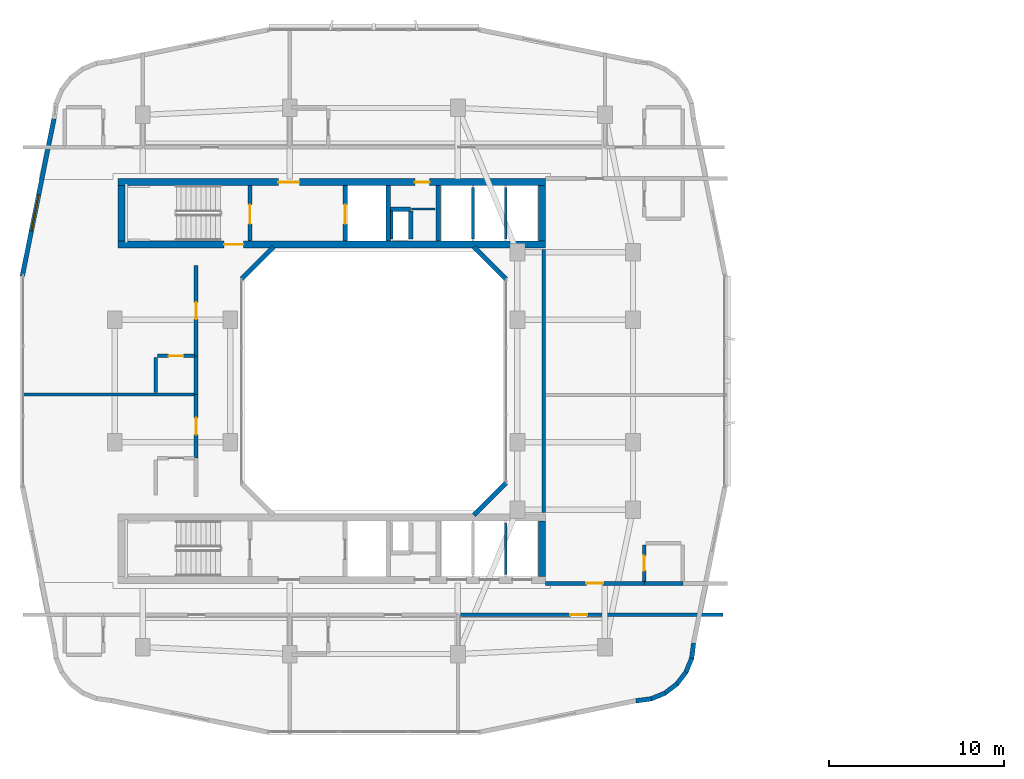
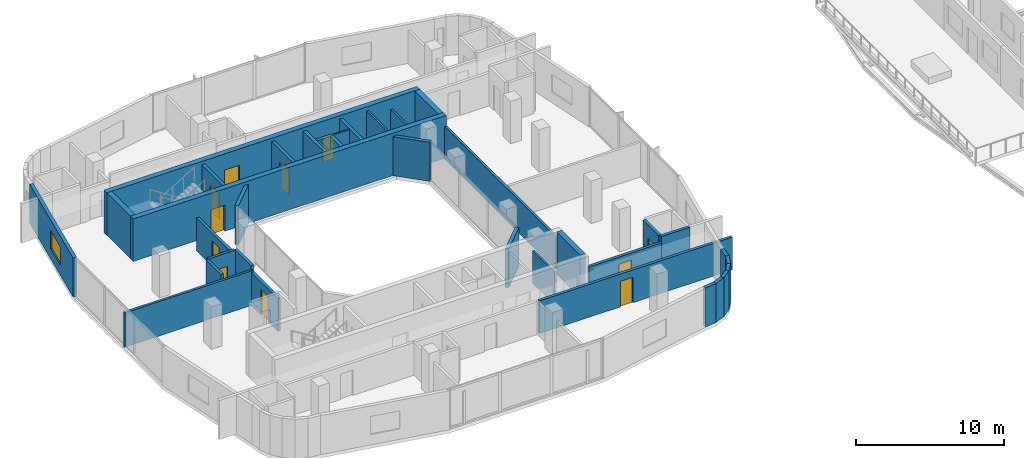
# One storey, part 9 of 18: 37 walls, 11 doors, 1 window, 12 openings.
"""IFC4 building model written with IfcOpenShell, lengths in metres."""

from ifc_helpers import new_model, si_unit, derived_unit, direction, frame, frame_2d, origin, place, context, subcontext, project, spatial, rectangle, extrude, material, layer, layer_set, type_object, element, fill, save


model = new_model("IFC4")

# Units and contexts
model_context = context("Model", 3, precision=1e-05, world=origin(), true_north=direction((0.0, 1.0)))
body_context = subcontext(model_context, "Body", "Model", "MODEL_VIEW")
ifc_project = project(units=[si_unit("LENGTHUNIT", "METRE"), si_unit("AREAUNIT", "SQUARE_METRE"), si_unit("VOLUMEUNIT", "CUBIC_METRE"), si_unit("PLANEANGLEUNIT", "RADIAN"), si_unit("MASSUNIT", "GRAM", prefix="KILO"), derived_unit("THERMALTRANSMITTANCEUNIT", [(si_unit("POWERUNIT", "WATT"), 1), (si_unit("LENGTHUNIT", "METRE"), -2), (si_unit("THERMODYNAMICTEMPERATUREUNIT", "KELVIN"), -1)])], contexts=[model_context])

# Site, building, storey
site_placement = place(None, origin())
site = spatial("IfcSite", under=ifc_project, at=site_placement, CompositionType="ELEMENT")
building_placement = place(site_placement, origin())
building = spatial("IfcBuilding", under=site, at=building_placement, Name="Kivonza Crest Hotel", CompositionType="ELEMENT")
storey_placement = place(building_placement, frame((0.0, 0.0, 131.0)))
storey = spatial("IfcBuildingStorey", under=building, at=storey_placement, Name="L35", CompositionType="ELEMENT", Elevation=131.0)

# Walls
ifc_material_1 = material(Name="High-density acoustic masonry inter-tenancy wall", Category="masonry")
ifc_layer_1 = layer(ifc_material_1, 0.179931640625)
ifc_layer_set_1 = layer_set([ifc_layer_1], Name="High-density acoustic masonry inter-tenancy wall")
wall_type_1 = type_object("IfcWallType", Name="WL-ACOU-180", PredefinedType="SOLIDWALL", material=ifc_layer_set_1)
wall_1_placement = place(storey_placement, frame((0.860107421875, 24.22998046875, 0.0), z_axis=(0.0, 0.0, 1.0), x_axis=(1.0, 0.0, 0.0)))
element("IfcWall", 1, at=wall_1_placement, inside=storey, type_object=wall_type_1, Name="L35 interior partition WA-L35-T1W-DIV1", PredefinedType="SOLIDWALL", context=body_context, shape_type="SweptSolid", body=[
    extrude(rectangle(XDim=9.989990234375, YDim=0.179931640625, at=frame_2d((4.9951171875, 0.0))), origin(), (0.0, 0.0, 1.0), 2.8349609375),
])
wall_2_placement = place(storey_placement, frame((30.7099609375, 17.5, 0.0), z_axis=(0.0, 0.0, 1.0), x_axis=(0.0, 1.0, 0.0)))
element("IfcWall", 2, at=wall_2_placement, inside=storey, type_object=wall_type_1, Name="L35 interior partition WA-L35-T1EC-W", PredefinedType="SOLIDWALL", context=body_context, shape_type="SweptSolid", body=[
    extrude(rectangle(XDim=15.0, YDim=0.179931640625, at=frame_2d((7.5, 0.0))), origin(), (0.0, 0.0, 1.0), 2.695068359375),
])

# Wall, opening, door
ifc_material_2 = material(Name="Autoclaved aerated concrete blockwork", Category="masonry")
ifc_layer_2 = layer(ifc_material_2, 0.219970703125)
ifc_layer_set_2 = layer_set([ifc_layer_2], Name="Autoclaved aerated concrete blockwork")
wall_type_2 = type_object("IfcWallType", Name="WL-ACOU-220", PredefinedType="SOLIDWALL", material=ifc_layer_set_2)
wall_3_placement = place(storey_placement, frame((25.89990234375, 11.64990234375, 0.0), z_axis=(0.0, 0.0, 1.0), x_axis=(1.0, 0.0, 0.0)))
wall_3 = element("IfcWall", 3, at=wall_3_placement, inside=storey, type_object=wall_type_2, Name="L35 interior partition WA-L35-BUS-MTG-N", PredefinedType="SOLIDWALL", context=body_context, shape_type="SweptSolid", body=[
    extrude(rectangle(XDim=15.0400390625, YDim=0.219970703125, at=frame_2d((7.52001953125, 0.0))), origin(), (0.0, 0.0, 1.0), 2.695068359375),
])
opening_1_placement = place(wall_3_placement, frame((6.330078125, 0.0, 0.0)))
opening_1 = element("IfcOpeningElement", 4, at=opening_1_placement, cuts=wall_3, Name="Opening DF-60S", PredefinedType="OPENING", context=body_context, shape_type="SweptSolid", body=[
    extrude(rectangle(XDim=0.949951171875, YDim=2.10009765625, at=frame_2d((0.47509765625, 1.050048828125))), frame((0.0, 0.1201171875, 0.0), z_axis=(0.0, -1.0, 0.0), x_axis=(1.0, 0.0, 0.0)), (0.0, 0.0, 1.0), 0.239990234375),
])
ifc_material_3 = material(Name="Hardwood timber oak", Category="wood")
door_type_1 = type_object("IfcDoorType", Name="DR-FD60-950", OperationType="NOTDEFINED", PredefinedType="DOOR", material=ifc_material_3)
door_1_placement = place(opening_1_placement, frame((0.949951171875, 0.0, 0.0), z_axis=(0.0, 0.0, 1.0), x_axis=(-1.0, 0.0, 0.0)))
door_1 = element("IfcDoor", 5, at=door_1_placement, inside=storey, type_object=door_type_1, Name="L35 Private Fitness Gym Studio door", OperationType="SINGLE_SWING_RIGHT", OverallHeight=2.10009765625, OverallWidth=0.949951171875, PredefinedType="DOOR", context=body_context, shape_type="SweptSolid", body=[
    extrude(rectangle(XDim=0.949951171875, YDim=2.10009765625, at=frame_2d((0.47509765625, 1.050048828125))), frame((0.0, 0.02490234375, 0.0), z_axis=(0.0, -1.0, 0.0), x_axis=(1.0, 0.0, 0.0)), (0.0, 0.0, 1.0), 0.050048828125),
])
fill(opening_1, door_1)

wall_4_placement = place(storey_placement, frame((10.85009765625, 20.60009765625, 0.0), z_axis=(0.0, 0.0, 1.0), x_axis=(0.0, 1.0, 0.0)))
wall_4 = element("IfcWall", 6, at=wall_4_placement, inside=storey, type_object=wall_type_2, Name="L35 interior partition WA-L35-W06-MCORR", PredefinedType="SOLIDWALL", context=body_context, shape_type="SweptSolid", body=[
    extrude(rectangle(XDim=3.6298828125, YDim=0.219970703125, at=frame_2d((1.81494140625, 0.0))), origin(), (0.0, 0.0, 1.0), 2.695068359375),
])
opening_2_placement = place(wall_4_placement, frame((1.340087890625, 0.0, 0.0)))
opening_2 = element("IfcOpeningElement", 7, at=opening_2_placement, cuts=wall_4, Name="Opening DU-60", PredefinedType="OPENING", context=body_context, shape_type="SweptSolid", body=[
    extrude(rectangle(XDim=0.949951171875, YDim=2.10009765625, at=frame_2d((0.47509765625, 1.050048828125))), frame((0.0, 0.1201171875, 0.0), z_axis=(0.0, -1.0, 0.0), x_axis=(1.0, 0.0, 0.0)), (0.0, 0.0, 1.0), 0.239990234375),
])
door_type_2 = type_object("IfcDoorType", Name="DR-UNIT-950", OperationType="NOTDEFINED", PredefinedType="DOOR", material=ifc_material_3)
door_2_placement = place(opening_2_placement, origin())
door_2 = element("IfcDoor", 8, at=door_2_placement, inside=storey, type_object=door_type_2, Name="L35 W06 guest unit entrance fire door", OperationType="SINGLE_SWING_RIGHT", OverallHeight=2.10009765625, OverallWidth=0.949951171875, PredefinedType="DOOR", context=body_context, shape_type="SweptSolid", body=[
    extrude(rectangle(XDim=0.949951171875, YDim=2.10009765625, at=frame_2d((0.47509765625, 1.050048828125))), frame((0.0, 0.02490234375, 0.0), z_axis=(0.0, -1.0, 0.0), x_axis=(1.0, 0.0, 0.0)), (0.0, 0.0, 1.0), 0.050048828125),
])
fill(opening_2, door_2)

# Wall
wall_5_placement = place(storey_placement, frame((10.85009765625, 24.22998046875, 0.0), z_axis=(0.0, 0.0, 1.0), x_axis=(0.0, 1.0, 0.0)))
element("IfcWall", 9, at=wall_5_placement, inside=storey, type_object=wall_type_2, Name="L35 interior partition WA-L35-W07-BCORR", PredefinedType="SOLIDWALL", context=body_context, shape_type="SweptSolid", body=[
    extrude(rectangle(XDim=2.199951171875, YDim=0.219970703125, at=frame_2d((1.10009765625, 0.0))), origin(), (0.0, 0.0, 1.0), 3.219970703125),
])

# Wall, opening, door
wall_6_placement = place(storey_placement, frame((10.85009765625, 26.429931640625, 0.0), z_axis=(0.0, 0.0, 1.0), x_axis=(0.0, 1.0, 0.0)))
wall_6 = element("IfcWall", 10, at=wall_6_placement, inside=storey, type_object=wall_type_2, Name="L35 interior partition WA-L35-W07-MCORR", PredefinedType="SOLIDWALL", context=body_context, shape_type="SweptSolid", body=[
    extrude(rectangle(XDim=5.170166015625, YDim=0.219970703125, at=frame_2d((2.5849609375, 0.0))), origin(), (0.0, 0.0, 1.0), 2.695068359375),
])
opening_3_placement = place(wall_6_placement, frame((2.110107421875, 0.0, 0.0)))
opening_3 = element("IfcOpeningElement", 11, at=opening_3_placement, cuts=wall_6, Name="Opening DU-60", PredefinedType="OPENING", context=body_context, shape_type="SweptSolid", body=[
    extrude(rectangle(XDim=0.949951171875, YDim=2.10009765625, at=frame_2d((0.47509765625, 1.050048828125))), frame((0.0, 0.1201171875, 0.0), z_axis=(0.0, -1.0, 0.0), x_axis=(1.0, 0.0, 0.0)), (0.0, 0.0, 1.0), 0.239990234375),
])
door_3_placement = place(opening_3_placement, origin())
door_3 = element("IfcDoor", 12, at=door_3_placement, inside=storey, type_object=door_type_2, Name="L35 W07 guest unit entrance fire door", OperationType="SINGLE_SWING_LEFT", OverallHeight=2.10009765625, OverallWidth=0.949951171875, PredefinedType="DOOR", context=body_context, shape_type="SweptSolid", body=[
    extrude(rectangle(XDim=0.949951171875, YDim=2.10009765625, at=frame_2d((0.47509765625, 1.050048828125))), frame((0.0, 0.02490234375, 0.0), z_axis=(0.0, -1.0, 0.0), x_axis=(1.0, 0.0, 0.0)), (0.0, 0.0, 1.0), 0.050048828125),
])
fill(opening_3, door_3)

# Wall
wall_7_placement = place(storey_placement, frame((36.449951171875, 13.43994140625, 0.0), z_axis=(0.0, 0.0, 1.0), x_axis=(1.0, 0.0, 0.0)))
element("IfcWall", 13, at=wall_7_placement, inside=storey, type_object=wall_type_2, Name="L35 interior partition WA-L35-ES08-BCORR", PredefinedType="SOLIDWALL", context=body_context, shape_type="SweptSolid", body=[
    extrude(rectangle(XDim=2.199951171875, YDim=0.219970703125, at=frame_2d((1.10009765625, 0.0))), origin(), (0.0, 0.0, 1.0), 3.219970703125),
])

# Wall, opening, door
wall_8_placement = place(storey_placement, frame((30.800048828125, 13.43994140625, 0.0), z_axis=(0.0, 0.0, 1.0), x_axis=(1.0, 0.0, 0.0)))
wall_8 = element("IfcWall", 14, at=wall_8_placement, inside=storey, type_object=wall_type_2, Name="L35 interior partition WA-L35-ES08-MCORR", PredefinedType="SOLIDWALL", context=body_context, shape_type="SweptSolid", body=[
    extrude(rectangle(XDim=5.64990234375, YDim=0.219970703125, at=frame_2d((2.824951171875, 0.0))), origin(), (0.0, 0.0, 1.0), 2.695068359375),
])
opening_4_placement = place(wall_8_placement, frame((2.35009765625, 0.0, 0.0)))
opening_4 = element("IfcOpeningElement", 15, at=opening_4_placement, cuts=wall_8, Name="Opening DU-60", PredefinedType="OPENING", context=body_context, shape_type="SweptSolid", body=[
    extrude(rectangle(XDim=0.949951171875, YDim=2.10009765625, at=frame_2d((0.47509765625, 1.050048828125))), frame((0.0, 0.1201171875, 0.0), z_axis=(0.0, -1.0, 0.0), x_axis=(1.0, 0.0, 0.0)), (0.0, 0.0, 1.0), 0.239990234375),
])
door_4_placement = place(opening_4_placement, origin())
door_4 = element("IfcDoor", 16, at=door_4_placement, inside=storey, type_object=door_type_2, Name="L35 ES08 guest unit entrance fire door", OperationType="SINGLE_SWING_RIGHT", OverallHeight=2.10009765625, OverallWidth=0.949951171875, PredefinedType="DOOR", context=body_context, shape_type="SweptSolid", body=[
    extrude(rectangle(XDim=0.949951171875, YDim=2.10009765625, at=frame_2d((0.47509765625, 1.050048828125))), frame((0.0, 0.02490234375, 0.0), z_axis=(0.0, -1.0, 0.0), x_axis=(1.0, 0.0, 0.0)), (0.0, 0.0, 1.0), 0.050048828125),
])
fill(opening_4, door_4)

ifc_material_4 = material(Name="Concrete C50/60", Category="concrete")
ifc_layer_3 = layer(ifc_material_4, 0.39990234375)
ifc_layer_set_3 = layer_set([ifc_layer_3], Name="Concrete C50/60")
wall_type_3 = type_object("IfcWallType", Name="WL-CORE-400", PredefinedType="SHEAR", material=ifc_layer_set_3)
wall_9_placement = place(storey_placement, frame((6.39990234375, 32.800048828125, 0.0), z_axis=(0.0, 0.0, 1.0), x_axis=(1.0, 0.0, 0.0)))
wall_9 = element("IfcWall", 17, at=wall_9_placement, inside=storey, type_object=wall_type_3, Name="Core wall T1-N South L35", PredefinedType="SHEAR", context=body_context, shape_type="SweptSolid", body=[
    extrude(rectangle(XDim=24.400146484375, YDim=0.39990234375, at=frame_2d((12.2001953125, 0.0))), origin(), (0.0, 0.0, 1.0), 3.5),
])
opening_5_placement = place(wall_9_placement, frame((6.050048828125, 0.0, 0.0)))
opening_5 = element("IfcOpeningElement", 18, at=opening_5_placement, cuts=wall_9, Name="Opening DF-120", PredefinedType="OPENING", context=body_context, shape_type="SweptSolid", body=[
    extrude(rectangle(XDim=1.10009765625, YDim=2.14990234375, at=frame_2d((0.550048828125, 1.074951171875))), frame((0.0, 0.2099609375, 0.0), z_axis=(0.0, -1.0, 0.0), x_axis=(1.0, 0.0, 0.0)), (0.0, 0.0, 1.0), 0.419921875),
])
ifc_material_5 = material(Name="Galvanised steel", Category="steel")
door_type_3 = type_object("IfcDoorType", Name="DR-FD120-1100", OperationType="NOTDEFINED", PredefinedType="DOOR", material=ifc_material_5)
door_5_placement = place(opening_5_placement, origin())
door_5 = element("IfcDoor", 19, at=door_5_placement, inside=storey, type_object=door_type_3, Name="L35 West corridor stair access fire door", OperationType="SINGLE_SWING_LEFT", OverallHeight=2.14990234375, OverallWidth=1.10009765625, PredefinedType="DOOR", context=body_context, shape_type="SweptSolid", body=[
    extrude(rectangle(XDim=1.10009765625, YDim=2.14990234375, at=frame_2d((0.550048828125, 1.074951171875))), frame((0.0, 0.02490234375, 0.0), z_axis=(0.0, -1.0, 0.0), x_axis=(1.0, 0.0, 0.0)), (0.0, 0.0, 1.0), 0.050048828125),
])
fill(opening_5, door_5)

# Wall, openings, doors
wall_10_placement = place(storey_placement, frame((6.39990234375, 36.360107421875, 0.0), z_axis=(0.0, 0.0, 1.0), x_axis=(1.0, 0.0, 0.0)))
wall_10 = element("IfcWall", 20, at=wall_10_placement, inside=storey, type_object=wall_type_3, Name="Core wall T1-N North L35", PredefinedType="SHEAR", context=body_context, shape_type="SweptSolid", body=[
    extrude(rectangle(XDim=24.400146484375, YDim=0.39990234375, at=frame_2d((12.2001953125, 0.0))), origin(), (0.0, 0.0, 1.0), 3.5),
])
opening_6_placement = place(wall_10_placement, frame((9.14990234375, 0.0, 0.0)))
opening_6 = element("IfcOpeningElement", 21, at=opening_6_placement, cuts=wall_10, Name="Opening DF-60", PredefinedType="OPENING", context=body_context, shape_type="SweptSolid", body=[
    extrude(rectangle(XDim=1.199951171875, YDim=2.14990234375, at=frame_2d((0.60009765625, 1.074951171875))), frame((0.0, 0.2099609375, 0.0), z_axis=(0.0, -1.0, 0.0), x_axis=(1.0, 0.0, 0.0)), (0.0, 0.0, 1.0), 0.419921875),
])
opening_7_placement = place(wall_10_placement, frame((16.93994140625, 0.0, 0.0)))
opening_7 = element("IfcOpeningElement", 22, at=opening_7_placement, cuts=wall_10, Name="Opening DF-60R", PredefinedType="OPENING", context=body_context, shape_type="SweptSolid", body=[
    extrude(rectangle(XDim=0.85009765625, YDim=2.10009765625, at=frame_2d((0.425048828125, 1.050048828125))), frame((0.0, 0.2099609375, 0.0), z_axis=(0.0, -1.0, 0.0), x_axis=(1.0, 0.0, 0.0)), (0.0, 0.0, 1.0), 0.419921875),
])
door_type_4 = type_object("IfcDoorType", Name="DR-FD60-1200", OperationType="NOTDEFINED", PredefinedType="DOOR", material=ifc_material_3)
door_6_placement = place(opening_6_placement, origin())
door_6 = element("IfcDoor", 23, at=door_6_placement, inside=storey, type_object=door_type_4, Name="L35 T1-N firefighting lobby fire door", OperationType="SINGLE_SWING_RIGHT", OverallHeight=2.14990234375, OverallWidth=1.199951171875, PredefinedType="DOOR", context=body_context, shape_type="SweptSolid", body=[
    extrude(rectangle(XDim=1.199951171875, YDim=2.14990234375, at=frame_2d((0.60009765625, 1.074951171875))), frame((0.0, 0.02490234375, 0.0), z_axis=(0.0, -1.0, 0.0), x_axis=(1.0, 0.0, 0.0)), (0.0, 0.0, 1.0), 0.050048828125),
])
fill(opening_6, door_6)
door_type_5 = type_object("IfcDoorType", Name="DR-FD60-850", OperationType="NOTDEFINED", PredefinedType="DOOR", material=ifc_material_3)
door_7_placement = place(opening_7_placement, origin())
door_7 = element("IfcDoor", 24, at=door_7_placement, inside=storey, type_object=door_type_5, Name="L35 T1-N core room door", OperationType="SINGLE_SWING_RIGHT", OverallHeight=2.10009765625, OverallWidth=0.85009765625, PredefinedType="DOOR", context=body_context, shape_type="SweptSolid", body=[
    extrude(rectangle(XDim=0.85009765625, YDim=2.10009765625, at=frame_2d((0.425048828125, 1.050048828125))), frame((0.0, 0.02490234375, 0.0), z_axis=(0.0, -1.0, 0.0), x_axis=(1.0, 0.0, 0.0)), (0.0, 0.0, 1.0), 0.050048828125),
])
fill(opening_7, door_7)

# Walls
for number, where, z_axis, x_axis, name in (
    (25, (6.60009765625, 33.0, 0.0), (0.0, 0.0, 1.0), (0.0, 1.0, 0.0), "Core wall T1-N West L35"),
    (26, (30.60009765625, 33.0, 0.0), (0.0, 0.0, 1.0), (0.0, 1.0, 0.0), "Core wall T1-N East L35"),
    (27, (30.60009765625, 13.840087890625, 0.0), (0.0, 0.0, 1.0), (0.0, 1.0, 0.0), "Core wall T1-S East L35"),
):
    element("IfcWall", number, at=place(storey_placement, frame(where, z_axis=z_axis, x_axis=x_axis)), inside=storey, type_object=wall_type_3, Name=name, PredefinedType="SHEAR", context=body_context, shape_type="SweptSolid", body=[
        extrude(rectangle(XDim=3.159912109375, YDim=0.39990234375, at=frame_2d((1.580078125, 0.0))), origin(), (0.0, 0.0, 1.0), 3.5),
    ])
ifc_material_6 = material(Name="Precast concrete C40/50", Category="concrete")
ifc_layer_4 = layer(ifc_material_6, 0.260009765625)
ifc_layer_set_4 = layer_set([ifc_layer_4], Name="Precast concrete C40/50")
wall_type_4 = type_object("IfcWallType", Name="WL-EXT-260", PredefinedType="STANDARD", material=ifc_layer_set_4)
wall_11_placement = place(storey_placement, frame((35.97509765625, 6.72802734375, 0.0), z_axis=(0.0, 0.0, 1.0), x_axis=(0.991388484223, 0.130953706898, 0.0)))
element("IfcWall", 28, at=wall_11_placement, inside=storey, type_object=wall_type_4, Name="L35 T1 exterior insulated wall 10", PredefinedType="STANDARD", context=body_context, shape_type="SweptSolid", body=[
    extrude(rectangle(XDim=0.885498046875, YDim=0.260009765625, at=frame_2d((0.44287109375, 0.0))), origin(), (0.0, 0.0, 1.0), 3.219970703125),
])
wall_12_placement = place(storey_placement, frame((36.806884765625, 6.825927734375, 0.0), z_axis=(0.0, 0.0, 1.0), x_axis=(0.923627776508, 0.383290660547, 0.0)))
element("IfcWall", 29, at=wall_12_placement, inside=storey, type_object=wall_type_4, Name="L35 T1 exterior insulated wall 11", PredefinedType="STANDARD", context=body_context, shape_type="SweptSolid", body=[
    extrude(rectangle(XDim=0.9033203125, YDim=0.260009765625, at=frame_2d((0.45166015625, 0.0))), origin(), (0.0, 0.0, 1.0), 3.219970703125),
])
wall_13_placement = place(storey_placement, frame((37.60107421875, 7.14404296875, 0.0), z_axis=(0.0, 0.0, 1.0), x_axis=(0.793458244748, 0.608624690463, 0.0)))
element("IfcWall", 30, at=wall_13_placement, inside=storey, type_object=wall_type_4, Name="L35 T1 exterior insulated wall 12", PredefinedType="STANDARD", context=body_context, shape_type="SweptSolid", body=[
    extrude(rectangle(XDim=0.902099609375, YDim=0.260009765625, at=frame_2d((0.451171875, 0.0))), origin(), (0.0, 0.0, 1.0), 3.219970703125),
])
wall_14_placement = place(storey_placement, frame((38.285888671875, 7.655029296875, 0.0), z_axis=(0.0, 0.0, 1.0), x_axis=(0.608494022858, 0.793558456666, 0.0)))
element("IfcWall", 31, at=wall_14_placement, inside=storey, type_object=wall_type_4, Name="L35 T1 exterior insulated wall 13", PredefinedType="STANDARD", context=body_context, shape_type="SweptSolid", body=[
    extrude(rectangle(XDim=0.90234375, YDim=0.260009765625, at=frame_2d((0.451171875, 0.0))), origin(), (0.0, 0.0, 1.0), 3.219970703125),
])
wall_15_placement = place(storey_placement, frame((38.81396484375, 8.326904296875, 0.0), z_axis=(0.0, 0.0, 1.0), x_axis=(0.383155708213, 0.923683767999, 0.0)))
element("IfcWall", 32, at=wall_15_placement, inside=storey, type_object=wall_type_4, Name="L35 T1 exterior insulated wall 14", PredefinedType="STANDARD", context=body_context, shape_type="SweptSolid", body=[
    extrude(rectangle(XDim=0.90283203125, YDim=0.260009765625, at=frame_2d((0.451416015625, 0.0))), origin(), (0.0, 0.0, 1.0), 3.219970703125),
])
wall_16_placement = place(storey_placement, frame((39.152099609375, 9.112060546875, 0.0), z_axis=(0.0, 0.0, 1.0), x_axis=(0.130200706103, 0.991487658083, 0.0)))
element("IfcWall", 33, at=wall_16_placement, inside=storey, type_object=wall_type_4, Name="L35 T1 exterior insulated wall 15", PredefinedType="STANDARD", context=body_context, shape_type="SweptSolid", body=[
    extrude(rectangle(XDim=0.920654296875, YDim=0.260009765625, at=frame_2d((0.46044921875, 0.0))), origin(), (0.0, 0.0, 1.0), 3.219970703125),
])

# Wall, opening, window
wall_17_placement = place(storey_placement, frame((2.72900390625, 39.98193359375, 0.0), z_axis=(0.0, 0.0, 1.0), x_axis=(-0.197435082048, -0.980315963543, 0.0)))
wall_17 = element("IfcWall", 34, at=wall_17_placement, inside=storey, type_object=wall_type_4, Name="L35 T1 exterior insulated wall 34", PredefinedType="STANDARD", context=body_context, shape_type="SweptSolid", body=[
    extrude(rectangle(XDim=9.1826171875, YDim=0.260009765625, at=frame_2d((4.59130859375, 0.0))), origin(), (0.0, 0.0, 1.0), 3.219970703125),
])
opening_8_placement = place(wall_17_placement, frame((4.43603515625, 0.0, 0.85009765625)))
opening_8 = element("IfcOpeningElement", 35, at=opening_8_placement, cuts=wall_17, Name="Opening WN-04", PredefinedType="OPENING", context=body_context, shape_type="SweptSolid", body=[
    extrude(rectangle(XDim=2.10009765625, YDim=1.5, at=frame_2d((1.050048828125, 0.75))), frame((0.0, 0.14013671875, 0.0), z_axis=(0.0, -1.0, 0.0), x_axis=(1.0, 0.0, 0.0)), (0.0, 0.0, 1.0), 0.280029296875),
])
ifc_material_7 = material(Name="Thermally broken bronze aluminium and low-E double glazing", Category="aluminium")
window_type = type_object("IfcWindowType", Name="WN-210x150", PartitioningType="DOUBLE_PANEL_VERTICAL", PredefinedType="WINDOW", material=ifc_material_7)
window_placement = place(opening_8_placement, origin())
window = element("IfcWindow", 36, at=window_placement, inside=storey, type_object=window_type, Name="L35 T1 facade window 34", OverallHeight=1.5, OverallWidth=2.10009765625, PartitioningType="SINGLE_PANEL", PredefinedType="WINDOW", context=body_context, shape_type="SweptSolid", body=[
    extrude(rectangle(XDim=2.10009765625, YDim=1.5, at=frame_2d((1.050048828125, 0.75))), frame((0.0, 0.030029296875, 0.0), z_axis=(0.0, -1.0, 0.0), x_axis=(1.0, 0.0, 0.0)), (0.0, 0.0, 1.0), 0.06005859375),
])
fill(opening_8, window)

# Walls
for number, where, z_axis, x_axis, name in (
    (37, (26.721923828125, 17.337890625, 0.0), (0.0, 0.0, 1.0), (0.707059717605, 0.707153841636, 0.0), "L35 T1 light-well exterior wall 2"),
    (38, (28.555908203125, 30.827880859375, 0.0), (0.0, 0.0, 1.0), (-0.707059717605, 0.707153841636, 0.0), "L35 T1 light-well exterior wall 4"),
    (39, (15.278076171875, 32.662109375, 0.0), (0.0, 0.0, 1.0), (-0.707059717605, -0.707153841636, 0.0), "L35 T1 light-well exterior wall 6"),
):
    element("IfcWall", number, at=place(storey_placement, frame(where, z_axis=z_axis, x_axis=x_axis)), inside=storey, type_object=wall_type_4, Name=name, PredefinedType="STANDARD", context=body_context, shape_type="SweptSolid", body=[
        extrude(rectangle(XDim=2.59375, YDim=0.260009765625, at=frame_2d((1.296875, 0.0))), origin(), (0.0, 0.0, 1.0), 3.219970703125),
    ])
ifc_material_8 = material(Name="Concrete blockwork fire-compartment wall", Category="masonry")
ifc_layer_5 = layer(ifc_material_8, 0.25)
ifc_layer_set_5 = layer_set([ifc_layer_5], Name="Concrete blockwork fire-compartment wall")
wall_type_5 = type_object("IfcWallType", Name="WL-FIRE-250", PredefinedType="SOLIDWALL", material=ifc_layer_set_5)
wall_18_placement = place(storey_placement, frame((23.10009765625, 33.10009765625, 0.0), z_axis=(0.0, 0.0, 1.0), x_axis=(0.0, 1.0, 0.0)))
element("IfcWall", 40, at=wall_18_placement, inside=storey, type_object=wall_type_5, Name="L35 interior partition WA-L35-T1-N-MEPR-E", PredefinedType="SOLIDWALL", context=body_context, shape_type="SweptSolid", body=[
    extrude(rectangle(XDim=1.619873046875, YDim=0.25, at=frame_2d((0.81005859375, 0.0))), origin(), (0.0, 0.0, 1.0), 3.219970703125),
])
wall_19_placement = place(storey_placement, frame((21.949951171875, 34.820068359375, 0.0), z_axis=(0.0, 0.0, 1.0), x_axis=(1.0, 0.0, 0.0)))
element("IfcWall", 41, at=wall_19_placement, inside=storey, type_object=wall_type_5, Name="L35 interior partition WA-L35-T1-N-MEPR-H", PredefinedType="SOLIDWALL", context=body_context, shape_type="SweptSolid", body=[
    extrude(rectangle(XDim=1.150146484375, YDim=0.25, at=frame_2d((0.5751953125, 0.0))), origin(), (0.0, 0.0, 1.0), 3.219970703125),
])
ifc_material_9 = material(Name="Metal-stud gypsum board partition", Category="gypsum")
ifc_layer_6 = layer(ifc_material_9, 0.125)
ifc_layer_set_6 = layer_set([ifc_layer_6], Name="Metal-stud gypsum board partition")
wall_type_6 = type_object("IfcWallType", Name="WL-PART-125", PredefinedType="PARTITIONING", material=ifc_layer_set_6)
wall_20_placement = place(storey_placement, frame((23.14990234375, 34.820068359375, 0.0), z_axis=(0.0, 0.0, 1.0), x_axis=(1.0, 0.0, 0.0)))
element("IfcWall", 42, at=wall_20_placement, inside=storey, type_object=wall_type_6, Name="L35 interior partition WP-L35-T1-N-SV2H", PredefinedType="PARTITIONING", context=body_context, shape_type="SweptSolid", body=[
    extrude(rectangle(XDim=1.35009765625, YDim=0.125, at=frame_2d((0.675048828125, 0.0))), origin(), (0.0, 0.0, 1.0), 3.219970703125),
])
ifc_material_10 = material(Name="Twin-stud acoustic gypsum board partition", Category="gypsum")
ifc_layer_7 = layer(ifc_material_10, 0.14990234375)
ifc_layer_set_7 = layer_set([ifc_layer_7], Name="Twin-stud acoustic gypsum board partition")
wall_type_7 = type_object("IfcWallType", Name="WL-PART-150", PredefinedType="PARTITIONING", material=ifc_layer_set_7)
wall_21_placement = place(storey_placement, frame((22.030029296875, 33.10009765625, 0.0), z_axis=(0.0, 0.0, 1.0), x_axis=(0.0, 1.0, 0.0)))
element("IfcWall", 43, at=wall_21_placement, inside=storey, type_object=wall_type_7, Name="L35 interior partition WA-L35-T1-N-MEPR-W", PredefinedType="PARTITIONING", context=body_context, shape_type="SweptSolid", body=[
    extrude(rectangle(XDim=1.619873046875, YDim=0.14990234375, at=frame_2d((0.81005859375, 0.0))), origin(), (0.0, 0.0, 1.0), 3.219970703125),
])
wall_22_placement = place(storey_placement, frame((26.6669921875, 33.10009765625, 0.0), z_axis=(0.0, 0.0, 1.0), x_axis=(0.0, 1.0, 0.0)))
element("IfcWall", 44, at=wall_22_placement, inside=storey, type_object=wall_type_7, Name="L35 interior partition WP-L35-T1-N-BSH-1", PredefinedType="PARTITIONING", context=body_context, shape_type="SweptSolid", body=[
    extrude(rectangle(XDim=2.9599609375, YDim=0.14990234375, at=frame_2d((1.47998046875, 0.0))), origin(), (0.0, 0.0, 1.0), 3.219970703125),
])
for number, where, z_axis, x_axis, name in (
    (45, (28.532958984375, 33.10009765625, 0.0), (0.0, 0.0, 1.0), (0.0, 1.0, 0.0), "L35 interior partition WP-L35-T1-N-BSH-2"),
    (46, (28.532958984375, 13.93994140625, 0.0), (0.0, 0.0, 1.0), (0.0, 1.0, 0.0), "L35 interior partition WP-L35-T1-S-BSH-2"),
):
    element("IfcWall", number, at=place(storey_placement, frame(where, z_axis=z_axis, x_axis=x_axis)), inside=storey, type_object=wall_type_7, Name=name, PredefinedType="PARTITIONING", context=body_context, shape_type="SweptSolid", body=[
        extrude(rectangle(XDim=2.9599609375, YDim=0.14990234375, at=frame_2d((1.47998046875, 0.0))), origin(), (0.0, 0.0, 1.0), 2.695068359375),
    ])

# Wall, opening, door
ifc_material_11 = material(Name="Moisture-resistant plumbing chase partition wall", Category="gypsum")
ifc_layer_8 = layer(ifc_material_11, 0.199951171875)
ifc_layer_set_8 = layer_set([ifc_layer_8], Name="Moisture-resistant plumbing chase partition wall")
wall_type_8 = type_object("IfcWallType", Name="WL-PLUMB-200", PredefinedType="PLUMBINGWALL", material=ifc_layer_set_8)
wall_23_placement = place(storey_placement, frame((8.64990234375, 26.429931640625, 0.0), z_axis=(0.0, 0.0, 1.0), x_axis=(1.0, 0.0, 0.0)))
wall_23 = element("IfcWall", 47, at=wall_23_placement, inside=storey, type_object=wall_type_8, Name="L35 interior partition WW-L35-W07-BH", PredefinedType="PLUMBINGWALL", context=body_context, shape_type="SweptSolid", body=[
    extrude(rectangle(XDim=2.10009765625, YDim=0.199951171875, at=frame_2d((1.050048828125, 0.0))), origin(), (0.0, 0.0, 1.0), 3.219970703125),
])
opening_9_placement = place(wall_23_placement, frame((0.625, 0.0, 0.0)))
opening_9 = element("IfcOpeningElement", 48, at=opening_9_placement, cuts=wall_23, Name="Opening DI-85", PredefinedType="OPENING", context=body_context, shape_type="SweptSolid", body=[
    extrude(rectangle(XDim=0.85009765625, YDim=2.10009765625, at=frame_2d((0.425048828125, 1.050048828125))), frame((0.0, 0.10986328125, 0.0), z_axis=(0.0, -1.0, 0.0), x_axis=(1.0, 0.0, 0.0)), (0.0, 0.0, 1.0), 0.219970703125),
])
door_type_6 = type_object("IfcDoorType", Name="DR-INT-850", OperationType="NOTDEFINED", PredefinedType="DOOR", material=ifc_material_3)
door_8_placement = place(opening_9_placement, origin())
door_8 = element("IfcDoor", 49, at=door_8_placement, inside=storey, type_object=door_type_6, Name="L35 W07 en-suite bathroom door", OperationType="SINGLE_SWING_RIGHT", OverallHeight=2.10009765625, OverallWidth=0.85009765625, PredefinedType="DOOR", context=body_context, shape_type="SweptSolid", body=[
    extrude(rectangle(XDim=0.85009765625, YDim=2.10009765625, at=frame_2d((0.425048828125, 1.050048828125))), frame((0.0, 0.02490234375, 0.0), z_axis=(0.0, -1.0, 0.0), x_axis=(1.0, 0.0, 0.0)), (0.0, 0.0, 1.0), 0.050048828125),
])
fill(opening_9, door_8)

# Wall
wall_24_placement = place(storey_placement, frame((8.550048828125, 24.330078125, 0.0), z_axis=(0.0, 0.0, 1.0), x_axis=(0.0, 1.0, 0.0)))
element("IfcWall", 50, at=wall_24_placement, inside=storey, type_object=wall_type_8, Name="L35 interior partition WW-L35-W07-BV", PredefinedType="PLUMBINGWALL", context=body_context, shape_type="SweptSolid", body=[
    extrude(rectangle(XDim=2.0, YDim=0.199951171875, at=frame_2d((1.0, 0.0))), origin(), (0.0, 0.0, 1.0), 3.219970703125),
])

# Wall, opening, door
wall_25_placement = place(storey_placement, frame((36.449951171875, 13.5400390625, 0.0), z_axis=(0.0, 0.0, 1.0), x_axis=(0.0, 1.0, 0.0)))
wall_25 = element("IfcWall", 51, at=wall_25_placement, inside=storey, type_object=wall_type_8, Name="L35 interior partition WW-L35-ES08-BV", PredefinedType="PLUMBINGWALL", context=body_context, shape_type="SweptSolid", body=[
    extrude(rectangle(XDim=2.099853515625, YDim=0.199951171875, at=frame_2d((1.0498046875, 0.0))), origin(), (0.0, 0.0, 1.0), 3.219970703125),
])
opening_10_placement = place(wall_25_placement, frame((0.625, 0.0, 0.0)))
opening_10 = element("IfcOpeningElement", 52, at=opening_10_placement, cuts=wall_25, Name="Opening DI-85", PredefinedType="OPENING", context=body_context, shape_type="SweptSolid", body=[
    extrude(rectangle(XDim=0.85009765625, YDim=2.10009765625, at=frame_2d((0.425048828125, 1.050048828125))), frame((0.0, 0.10986328125, 0.0), z_axis=(0.0, -1.0, 0.0), x_axis=(1.0, 0.0, 0.0)), (0.0, 0.0, 1.0), 0.219970703125),
])
door_9_placement = place(opening_10_placement, origin())
door_9 = element("IfcDoor", 53, at=door_9_placement, inside=storey, type_object=door_type_6, Name="L35 ES08 en-suite bathroom door", OperationType="SINGLE_SWING_LEFT", OverallHeight=2.10009765625, OverallWidth=0.85009765625, PredefinedType="DOOR", context=body_context, shape_type="SweptSolid", body=[
    extrude(rectangle(XDim=0.85009765625, YDim=2.10009765625, at=frame_2d((0.425048828125, 1.050048828125))), frame((0.0, 0.02490234375, 0.0), z_axis=(0.0, -1.0, 0.0), x_axis=(1.0, 0.0, 0.0)), (0.0, 0.0, 1.0), 0.050048828125),
])
fill(opening_10, door_9)

ifc_layer_9 = layer(ifc_material_4, 0.25)
ifc_layer_set_9 = layer_set([ifc_layer_9], Name="Concrete C50/60")
wall_type_9 = type_object("IfcWallType", Name="WL-SHAFT-250", PredefinedType="STANDARD", material=ifc_layer_set_9)
wall_26_placement = place(storey_placement, frame((13.925048828125, 33.0, 0.0), z_axis=(0.0, 0.0, 1.0), x_axis=(0.0, 1.0, 0.0)))
wall_26 = element("IfcWall", 54, at=wall_26_placement, inside=storey, type_object=wall_type_9, Name="Core shaft wall T1-N STAIR L35", PredefinedType="STANDARD", context=body_context, shape_type="SweptSolid", body=[
    extrude(rectangle(XDim=3.159912109375, YDim=0.25, at=frame_2d((1.580078125, 0.0))), origin(), (0.0, 0.0, 1.0), 3.219970703125),
])
opening_11_placement = place(wall_26_placement, frame((0.97998046875, 0.0, 0.0)))
opening_11 = element("IfcOpeningElement", 55, at=opening_11_placement, cuts=wall_26, Name="Opening DF-120", PredefinedType="OPENING", context=body_context, shape_type="SweptSolid", body=[
    extrude(rectangle(XDim=1.10009765625, YDim=2.14990234375, at=frame_2d((0.550048828125, 1.074951171875))), frame((0.0, 0.135009765625, 0.0), z_axis=(0.0, -1.0, 0.0), x_axis=(1.0, 0.0, 0.0)), (0.0, 0.0, 1.0), 0.27001953125),
])
door_10_placement = place(opening_11_placement, frame((1.10009765625, 0.0, 0.0), z_axis=(0.0, 0.0, 1.0), x_axis=(-1.0, 0.0, 0.0)))
door_10 = element("IfcDoor", 56, at=door_10_placement, inside=storey, type_object=door_type_3, Name="L35 T1-N stair fire door", OperationType="SINGLE_SWING_LEFT", OverallHeight=2.14990234375, OverallWidth=1.10009765625, PredefinedType="DOOR", context=body_context, shape_type="SweptSolid", body=[
    extrude(rectangle(XDim=1.10009765625, YDim=2.14990234375, at=frame_2d((0.550048828125, 1.074951171875))), frame((0.0, 0.02490234375, 0.0), z_axis=(0.0, -1.0, 0.0), x_axis=(1.0, 0.0, 0.0)), (0.0, 0.0, 1.0), 0.050048828125),
])
fill(opening_11, door_10)

wall_27_placement = place(storey_placement, frame((19.375, 33.0, 0.0), z_axis=(0.0, 0.0, 1.0), x_axis=(0.0, 1.0, 0.0)))
wall_27 = element("IfcWall", 57, at=wall_27_placement, inside=storey, type_object=wall_type_9, Name="Core shaft wall T1-N FFL-W L35", PredefinedType="STANDARD", context=body_context, shape_type="SweptSolid", body=[
    extrude(rectangle(XDim=3.159912109375, YDim=0.25, at=frame_2d((1.580078125, 0.0))), origin(), (0.0, 0.0, 1.0), 3.219970703125),
])
opening_12_placement = place(wall_27_placement, frame((0.97998046875, 0.0, 0.0)))
opening_12 = element("IfcOpeningElement", 58, at=opening_12_placement, cuts=wall_27, Name="Opening LD-120", PredefinedType="OPENING", context=body_context, shape_type="SweptSolid", body=[
    extrude(rectangle(XDim=1.10009765625, YDim=2.14990234375, at=frame_2d((0.550048828125, 1.074951171875))), frame((0.0, 0.135009765625, 0.0), z_axis=(0.0, -1.0, 0.0), x_axis=(1.0, 0.0, 0.0)), (0.0, 0.0, 1.0), 0.27001953125),
])
ifc_material_12 = material(Name="Stainless steel", Category="steel")
door_type_7 = type_object("IfcDoorType", Name="DR-LD120-1100", OperationType="NOTDEFINED", PredefinedType="DOOR", material=ifc_material_12)
door_11_placement = place(opening_12_placement, origin())
door_11 = element("IfcDoor", 59, at=door_11_placement, inside=storey, type_object=door_type_7, Name="L35 FFL-T1-N firefighting lift sliding landing door", OperationType="DOUBLE_DOOR_SLIDING", OverallHeight=2.14990234375, OverallWidth=1.10009765625, PredefinedType="DOOR", context=body_context, shape_type="SweptSolid", body=[
    extrude(rectangle(XDim=1.10009765625, YDim=2.14990234375, at=frame_2d((0.550048828125, 1.074951171875))), frame((0.0, 0.02490234375, 0.0), z_axis=(0.0, -1.0, 0.0), x_axis=(1.0, 0.0, 0.0)), (0.0, 0.0, 1.0), 0.050048828125),
])
fill(opening_12, door_11)

# Walls
for number, where, z_axis, x_axis, name in (
    (60, (21.824951171875, 33.0, 0.0), (0.0, 0.0, 1.0), (0.0, 1.0, 0.0), "Core shaft wall T1-N FFL-E L35"),
    (61, (24.675048828125, 33.0, 0.0), (0.0, 0.0, 1.0), (0.0, 1.0, 0.0), "Core shaft wall T1-N BANK-W L35"),
):
    element("IfcWall", number, at=place(storey_placement, frame(where, z_axis=z_axis, x_axis=x_axis)), inside=storey, type_object=wall_type_9, Name=name, PredefinedType="STANDARD", context=body_context, shape_type="SweptSolid", body=[
        extrude(rectangle(XDim=3.159912109375, YDim=0.25, at=frame_2d((1.580078125, 0.0))), origin(), (0.0, 0.0, 1.0), 3.219970703125),
    ])

save(model, "model.ifc")
